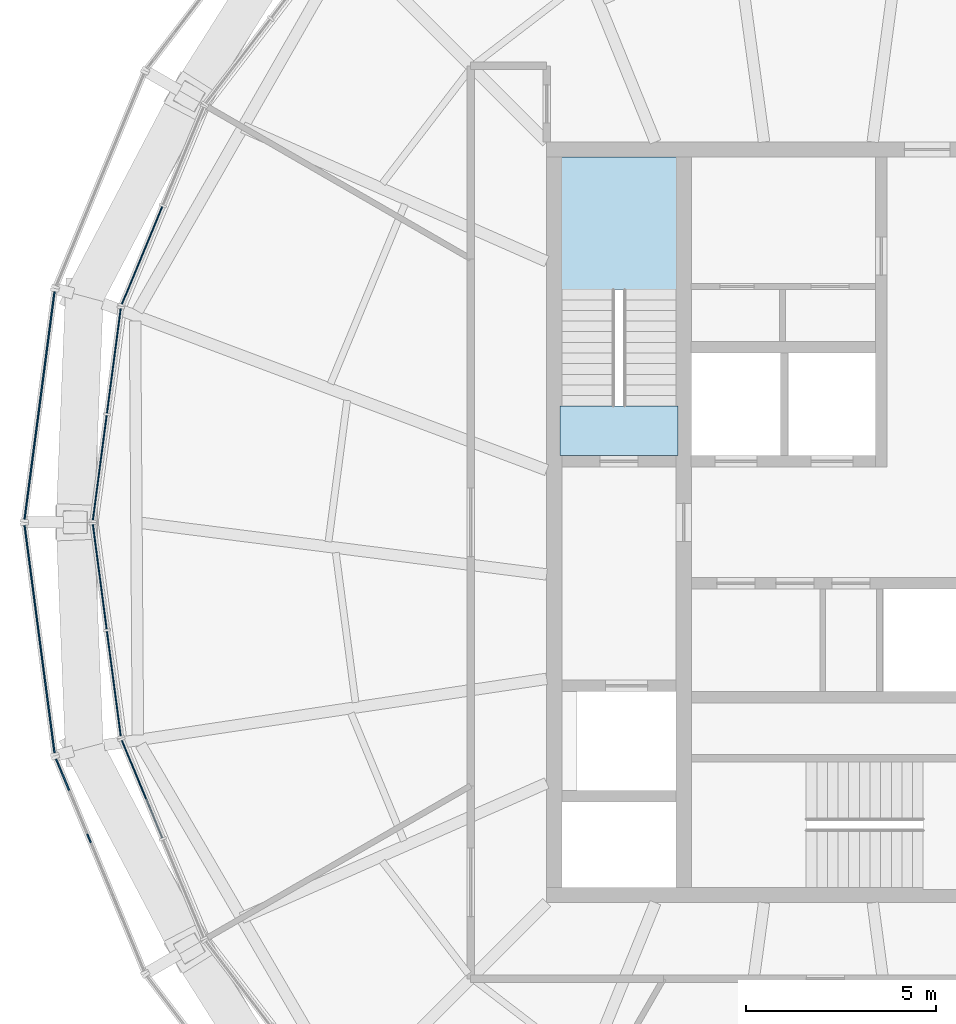
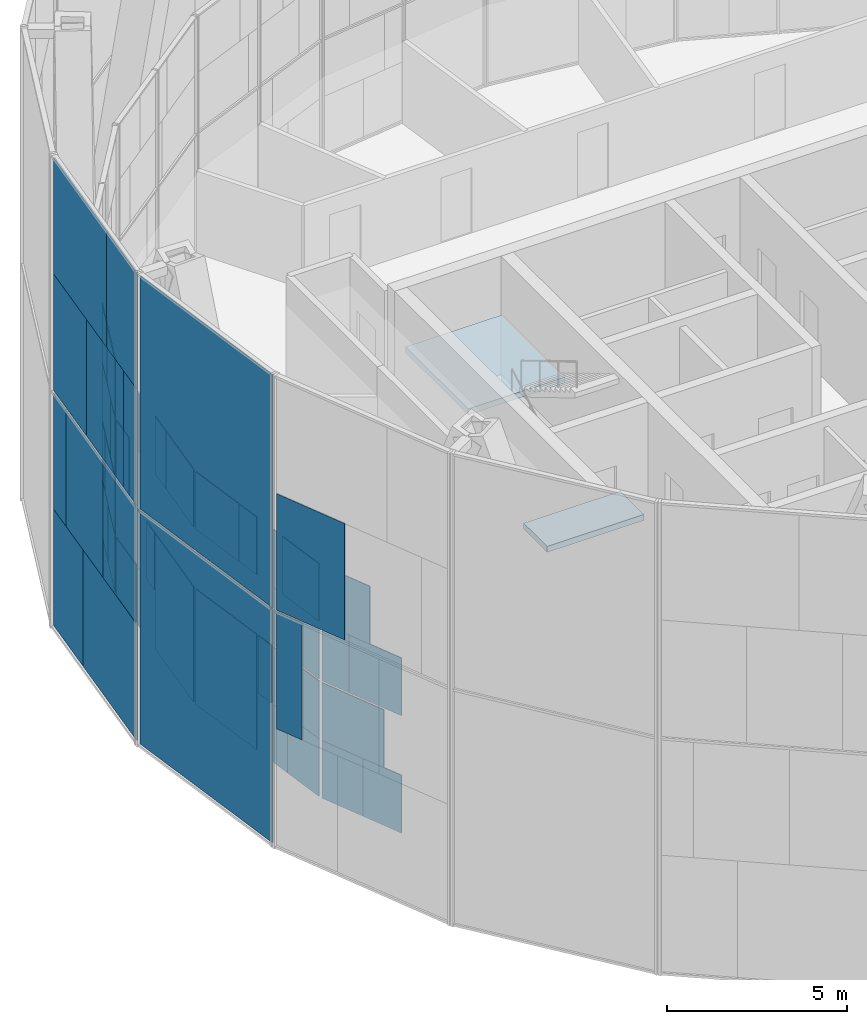
# One storey, part 12 of 22: 54 plates, 2 slabs, 8 elements without a shape of their own.
"""IFC4 building model written with IfcOpenShell, lengths in metres."""

from ifc_helpers import new_model, si_unit, direction, frame, origin, origin_2d, place, context, subcontext, project, spatial, polyline, rectangle, outline, extrude, material, layer, layer_set, type_object, element, aggregate, save


model = new_model("IFC4")

# Units and contexts
model_context = context("Model", 3, precision=1e-05, world=origin(), true_north=direction((0.0, 1.0)))
body_context = subcontext(model_context, "Body", "Model", "MODEL_VIEW")
ifc_project = project(units=[si_unit("LENGTHUNIT", "METRE"), si_unit("AREAUNIT", "SQUARE_METRE"), si_unit("VOLUMEUNIT", "CUBIC_METRE"), si_unit("PLANEANGLEUNIT", "RADIAN"), si_unit("MASSUNIT", "GRAM", prefix="KILO")], contexts=[model_context])

# Site, building, storey
site_placement = place(None, origin())
site = spatial("IfcSite", under=ifc_project, at=site_placement, CompositionType="ELEMENT")
building_placement = place(site_placement, origin())
building = spatial("IfcBuilding", under=site, at=building_placement, Name="Golbaran Civic Tower", CompositionType="ELEMENT")
storey_placement = place(building_placement, frame((0.0, 0.0, 264.0)))
storey = spatial("IfcBuildingStorey", under=building, at=storey_placement, Name="L64", CompositionType="ELEMENT", Elevation=264.0)

# Curtain wall, plates
ifc_material_1 = material(Name="Aluminium and glass", Category="aluminium")
curtain_wall_type_1 = type_object("IfcCurtainWallType", Name="INNER SKIN CURTAIN WALL EXECUTIVE", PredefinedType="NOTDEFINED", material=ifc_material_1)
curtain_wall_1_placement = place(storey_placement, origin())
curtain_wall_1 = element("IfcCurtainWall", 1, at=curtain_wall_1_placement, inside=storey, type_object=curtain_wall_type_1, Name="Inner skin L64 facet 11 CW2", ObjectType="INNER SKIN", PredefinedType="USERDEFINED")
ifc_material_2 = material(Name="Clear insulating glass", Category="glass")
ifc_layer_1 = layer(ifc_material_2, 0.031982421875, Name="Clear insulating glass")
ifc_layer_set_1 = layer_set([ifc_layer_1], Name="Clear insulating glass")
plate_type_1 = type_object("IfcPlateType", Name="INNER SKIN CURTAIN WALL EXECUTIVE GLAZED PANEL", PredefinedType="CURTAIN_PANEL", material=ifc_layer_set_1)
plate_1_placement = place(storey_placement, frame((-20.363525390625, 7.67724609375, 0.06005859375), z_axis=(0.0, 0.0, 1.0), x_axis=(-0.382683432349, -0.923879532518, 0.0)))
plate_1 = element("IfcPlate", 2, at=plate_1_placement, type_object=plate_type_1, Name="CW2 panel 2.1 part 1", PredefinedType="CURTAIN_PANEL", context=body_context, shape_type="SweptSolid", body=[
    extrude(rectangle(XDim=1.340087890625, YDim=0.031982421875, at=origin_2d()), origin(), (0.0, 0.0, 1.0), 1.955078125),
])
plate_2_placement = place(storey_placement, frame((-20.224853515625, 8.011474609375, 2.014892578125), z_axis=(0.0, 0.0, 1.0), x_axis=(-0.382683432349, -0.923879532518, 0.0)))
plate_2 = element("IfcPlate", 3, at=plate_2_placement, type_object=plate_type_1, Name="CW2 panel 2.1 part 3", PredefinedType="CURTAIN_PANEL", context=body_context, shape_type="SweptSolid", body=[
    extrude(rectangle(XDim=0.615966796875, YDim=0.031982421875, at=origin_2d()), origin(), (0.0, 0.0, 1.0), 1.955078125),
])
plate_3_placement = place(storey_placement, frame((-20.9873046875, 6.1708984375, 4.030029296875), z_axis=(0.0, 0.0, 1.0), x_axis=(-0.382683432349, -0.923879532518, 0.0)))
plate_3 = element("IfcPlate", 4, at=plate_3_placement, type_object=plate_type_1, Name="CW2 panel 2.2 part 2", PredefinedType="CURTAIN_PANEL", context=body_context, shape_type="SweptSolid", body=[
    extrude(rectangle(XDim=0.946533203125, YDim=0.031982421875, at=origin_2d()), origin(), (0.0, 0.0, 1.0), 1.955078125),
])
plate_4_placement = place(storey_placement, frame((-20.84912109375, 6.5048828125, 5.98486328125), z_axis=(0.0, 0.0, 1.0), x_axis=(-0.382683432349, -0.923879532518, 0.0)))
plate_4 = element("IfcPlate", 5, at=plate_4_placement, type_object=plate_type_1, Name="CW2 panel 2.2 part 4", PredefinedType="CURTAIN_PANEL", context=body_context, shape_type="SweptSolid", body=[
    extrude(rectangle(XDim=1.669677734375, YDim=0.031982421875, at=origin_2d()), origin(), (0.0, 0.0, 1.0), 1.955078125),
])

curtain_wall_2_placement = place(storey_placement, origin())
curtain_wall_2 = element("IfcCurtainWall", 6, at=curtain_wall_2_placement, inside=storey, type_object=curtain_wall_type_1, Name="Inner skin L64 facet 12 CW2", ObjectType="INNER SKIN", PredefinedType="USERDEFINED")
plate_5_placement = place(storey_placement, frame((-21.473876953125, 3.532958984375, 0.06005859375), z_axis=(0.0, 0.0, 1.0), x_axis=(-0.130526192203, -0.991444861376, 0.0)))
plate_5 = element("IfcPlate", 7, at=plate_5_placement, type_object=plate_type_1, Name="CW2 panel 1.1 part 2", PredefinedType="CURTAIN_PANEL", context=body_context, shape_type="SweptSolid", body=[
    extrude(rectangle(XDim=1.339599609375, YDim=0.031982421875, at=origin_2d()), origin(), (0.0, 0.0, 1.0), 1.955078125),
])
plate_6_placement = place(storey_placement, frame((-21.52099609375, 3.174560546875, 2.014892578125), z_axis=(0.0, 0.0, 1.0), x_axis=(-0.130526192203, -0.991444861376, 0.0)))
plate_6 = element("IfcPlate", 8, at=plate_6_placement, type_object=plate_type_1, Name="CW2 panel 1.1 part 4", PredefinedType="CURTAIN_PANEL", context=body_context, shape_type="SweptSolid", body=[
    extrude(rectangle(XDim=0.61669921875, YDim=0.031982421875, at=origin_2d()), origin(), (0.0, 0.0, 1.0), 1.955078125),
])
plate_7_placement = place(storey_placement, frame((-21.260986328125, 5.14990234375, 4.030029296875), z_axis=(0.0, 0.0, 1.0), x_axis=(-0.130526192203, -0.991444861376, 0.0)))
plate_7 = element("IfcPlate", 9, at=plate_7_placement, type_object=plate_type_1, Name="CW2 panel 1.2 part 1", PredefinedType="CURTAIN_PANEL", context=body_context, shape_type="SweptSolid", body=[
    extrude(rectangle(XDim=0.946044921875, YDim=0.031982421875, at=origin_2d()), origin(), (0.0, 0.0, 1.0), 1.955078125),
])
plate_8_placement = place(storey_placement, frame((-21.30810546875, 4.79150390625, 5.98486328125), z_axis=(0.0, 0.0, 1.0), x_axis=(-0.130526192203, -0.991444861376, 0.0)))
plate_8 = element("IfcPlate", 10, at=plate_8_placement, type_object=plate_type_1, Name="CW2 panel 1.2 part 3", PredefinedType="CURTAIN_PANEL", context=body_context, shape_type="SweptSolid", body=[
    extrude(rectangle(XDim=1.6689453125, YDim=0.031982421875, at=origin_2d()), origin(), (0.0, 0.0, 1.0), 1.955078125),
])
plate_9_placement = place(storey_placement, frame((-21.750244140625, 1.434326171875, 0.06005859375), z_axis=(0.0, 0.0, 1.0), x_axis=(-0.130526192203, -0.991444861376, 0.0)))
plate_9 = element("IfcPlate", 11, at=plate_9_placement, type_object=plate_type_1, Name="CW2 panel 2.1", PredefinedType="CURTAIN_PANEL", context=body_context, shape_type="SweptSolid", body=[
    extrude(rectangle(XDim=2.773681640625, YDim=0.031982421875, at=origin_2d()), origin(), (0.0, 0.0, 1.0), 3.909912109375),
])
plate_10_placement = place(storey_placement, frame((-21.7763671875, 1.235595703125, 4.030029296875), z_axis=(0.0, 0.0, 1.0), x_axis=(-0.130526192203, -0.991444861376, 0.0)))
plate_10 = element("IfcPlate", 12, at=plate_10_placement, type_object=plate_type_1, Name="CW2 panel 2.2 part 2", PredefinedType="CURTAIN_PANEL", context=body_context, shape_type="SweptSolid", body=[
    extrude(rectangle(XDim=2.37255859375, YDim=0.031982421875, at=origin_2d()), origin(), (0.0, 0.0, 1.0), 1.955078125),
])
plate_11_placement = place(storey_placement, frame((-21.8017578125, 1.041748046875, 5.98486328125), z_axis=(0.0, 0.0, 1.0), x_axis=(-0.130526192203, -0.991444861376, 0.0)))
plate_11 = element("IfcPlate", 13, at=plate_11_placement, type_object=plate_type_1, Name="CW2 panel 2.2 part 4", PredefinedType="CURTAIN_PANEL", context=body_context, shape_type="SweptSolid", body=[
    extrude(rectangle(XDim=1.981689453125, YDim=0.031982421875, at=origin_2d()), origin(), (0.0, 0.0, 1.0), 1.955078125),
])

curtain_wall_3_placement = place(storey_placement, origin())
curtain_wall_3 = element("IfcCurtainWall", 14, at=curtain_wall_3_placement, inside=storey, type_object=curtain_wall_type_1, Name="Inner skin L64 facet 13 CW2", ObjectType="INNER SKIN", PredefinedType="USERDEFINED")
plate_12_placement = place(storey_placement, frame((-21.750244140625, -1.434326171875, 0.06005859375), z_axis=(0.0, 0.0, 1.0), x_axis=(0.130526192203, -0.991444861376, 0.0)))
plate_12 = element("IfcPlate", 15, at=plate_12_placement, type_object=plate_type_1, Name="CW2 panel 1.1", PredefinedType="CURTAIN_PANEL", context=body_context, shape_type="SweptSolid", body=[
    extrude(rectangle(XDim=2.773681640625, YDim=0.031982421875, at=origin_2d()), origin(), (0.0, 0.0, 1.0), 3.909912109375),
])
plate_13_placement = place(storey_placement, frame((-21.7763671875, -1.2353515625, 4.030029296875), z_axis=(0.0, 0.0, 1.0), x_axis=(0.130526192203, -0.991444861376, 0.0)))
plate_13 = element("IfcPlate", 16, at=plate_13_placement, type_object=plate_type_1, Name="CW2 panel 1.2 part 1", PredefinedType="CURTAIN_PANEL", context=body_context, shape_type="SweptSolid", body=[
    extrude(rectangle(XDim=2.3720703125, YDim=0.031982421875, at=origin_2d()), origin(), (0.0, 0.0, 1.0), 1.955078125),
])
plate_14_placement = place(storey_placement, frame((-21.8017578125, -1.0419921875, 5.98486328125), z_axis=(0.0, 0.0, 1.0), x_axis=(0.130526192203, -0.991444861376, 0.0)))
plate_14 = element("IfcPlate", 17, at=plate_14_placement, type_object=plate_type_1, Name="CW2 panel 1.2 part 3", PredefinedType="CURTAIN_PANEL", context=body_context, shape_type="SweptSolid", body=[
    extrude(rectangle(XDim=1.98193359375, YDim=0.031982421875, at=origin_2d()), origin(), (0.0, 0.0, 1.0), 1.955078125),
])
plate_15_placement = place(storey_placement, frame((-21.473876953125, -3.533203125, 0.06005859375), z_axis=(0.0, 0.0, 1.0), x_axis=(0.130526192203, -0.991444861376, 0.0)))
plate_15 = element("IfcPlate", 18, at=plate_15_placement, type_object=plate_type_1, Name="CW2 panel 2.1 part 1", PredefinedType="CURTAIN_PANEL", context=body_context, shape_type="SweptSolid", body=[
    extrude(rectangle(XDim=1.340087890625, YDim=0.031982421875, at=origin_2d()), origin(), (0.0, 0.0, 1.0), 1.955078125),
])
plate_16_placement = place(storey_placement, frame((-21.52099609375, -3.17431640625, 2.014892578125), z_axis=(0.0, 0.0, 1.0), x_axis=(0.130526192203, -0.991444861376, 0.0)))
plate_16 = element("IfcPlate", 19, at=plate_16_placement, type_object=plate_type_1, Name="CW2 panel 2.1 part 3", PredefinedType="CURTAIN_PANEL", context=body_context, shape_type="SweptSolid", body=[
    extrude(rectangle(XDim=0.615966796875, YDim=0.031982421875, at=origin_2d()), origin(), (0.0, 0.0, 1.0), 1.955078125),
])
plate_17_placement = place(storey_placement, frame((-21.260986328125, -5.1494140625, 4.030029296875), z_axis=(0.0, 0.0, 1.0), x_axis=(0.130526192203, -0.991444861376, 0.0)))
plate_17 = element("IfcPlate", 20, at=plate_17_placement, type_object=plate_type_1, Name="CW2 panel 2.2 part 2", PredefinedType="CURTAIN_PANEL", context=body_context, shape_type="SweptSolid", body=[
    extrude(rectangle(XDim=0.946533203125, YDim=0.031982421875, at=origin_2d()), origin(), (0.0, 0.0, 1.0), 1.955078125),
])
plate_18_placement = place(storey_placement, frame((-21.308349609375, -4.791015625, 5.98486328125), z_axis=(0.0, 0.0, 1.0), x_axis=(0.130526192203, -0.991444861376, 0.0)))
plate_18 = element("IfcPlate", 21, at=plate_18_placement, type_object=plate_type_1, Name="CW2 panel 2.2 part 4", PredefinedType="CURTAIN_PANEL", context=body_context, shape_type="SweptSolid", body=[
    extrude(rectangle(XDim=1.669677734375, YDim=0.031982421875, at=origin_2d()), origin(), (0.0, 0.0, 1.0), 1.955078125),
])

curtain_wall_4_placement = place(storey_placement, origin())
curtain_wall_4 = element("IfcCurtainWall", 22, at=curtain_wall_4_placement, inside=storey, type_object=curtain_wall_type_1, Name="Inner skin L64 facet 14 CW2", ObjectType="INNER SKIN", PredefinedType="USERDEFINED")
plate_19_placement = place(storey_placement, frame((-20.36328125, -7.67724609375, 0.06005859375), z_axis=(0.0, 0.0, 1.0), x_axis=(0.382683432349, -0.923879532518, 0.0)))
plate_19 = element("IfcPlate", 23, at=plate_19_placement, type_object=plate_type_1, Name="CW2 panel 1.1 part 2", PredefinedType="CURTAIN_PANEL", context=body_context, shape_type="SweptSolid", body=[
    extrude(rectangle(XDim=1.339599609375, YDim=0.031982421875, at=origin_2d()), origin(), (0.0, 0.0, 1.0), 1.955078125),
])
plate_20_placement = place(storey_placement, frame((-20.987548828125, -6.170654296875, 4.030029296875), z_axis=(0.0, 0.0, 1.0), x_axis=(0.382683432349, -0.923879532518, 0.0)))
plate_20 = element("IfcPlate", 24, at=plate_20_placement, type_object=plate_type_1, Name="CW2 panel 1.2 part 1", PredefinedType="CURTAIN_PANEL", context=body_context, shape_type="SweptSolid", body=[
    extrude(rectangle(XDim=0.946044921875, YDim=0.031982421875, at=origin_2d()), origin(), (0.0, 0.0, 1.0), 1.955078125),
])
plate_21_placement = place(storey_placement, frame((-20.84912109375, -6.504638671875, 5.98486328125), z_axis=(0.0, 0.0, 1.0), x_axis=(0.382683432349, -0.923879532518, 0.0)))
plate_21 = element("IfcPlate", 25, at=plate_21_placement, type_object=plate_type_1, Name="CW2 panel 1.2 part 3", PredefinedType="CURTAIN_PANEL", context=body_context, shape_type="SweptSolid", body=[
    extrude(rectangle(XDim=1.6689453125, YDim=0.031982421875, at=origin_2d()), origin(), (0.0, 0.0, 1.0), 1.955078125),
])

# Plate
ifc_material_3 = material(Name="Aluminium faced opaque infill panel", Category="aluminium")
ifc_layer_2 = layer(ifc_material_3, 0.031982421875, Name="Aluminium faced opaque infill panel")
ifc_layer_set_2 = layer_set([ifc_layer_2], Name="Aluminium faced opaque infill panel")
plate_type_2 = type_object("IfcPlateType", Name="INNER SKIN CURTAIN WALL EXECUTIVE OPAQUE INFILL PANEL", PredefinedType="CURTAIN_PANEL", material=ifc_layer_set_2)
plate_22_placement = place(storey_placement, frame((-20.894287109375, 6.39599609375, 0.06005859375), z_axis=(0.0, 0.0, 1.0), x_axis=(-0.382683432349, -0.923879532518, 0.0)))
plate_22 = element("IfcPlate", 26, at=plate_22_placement, type_object=plate_type_2, Name="CW2 infill panel 2.1 part 2", PredefinedType="CURTAIN_PANEL", context=body_context, shape_type="SweptSolid", body=[
    extrude(rectangle(XDim=1.43359375, YDim=0.031982421875, at=origin_2d()), origin(), (0.0, 0.0, 1.0), 1.955078125),
])

plate_23_placement = place(storey_placement, frame((-20.755615234375, 6.73046875, 2.014892578125), z_axis=(0.0, 0.0, 1.0), x_axis=(-0.382683432349, -0.923879532518, 0.0)))
plate_23 = element("IfcPlate", 27, at=plate_23_placement, type_object=plate_type_2, Name="CW2 infill panel 2.1 part 4", PredefinedType="CURTAIN_PANEL", context=body_context, shape_type="SweptSolid", body=[
    extrude(rectangle(XDim=2.15771484375, YDim=0.031982421875, at=origin_2d()), origin(), (0.0, 0.0, 1.0), 1.955078125),
])

plate_24_placement = place(storey_placement, frame((-20.45654296875, 7.4521484375, 4.030029296875), z_axis=(0.0, 0.0, 1.0), x_axis=(-0.382683432349, -0.923879532518, 0.0)))
plate_24 = element("IfcPlate", 28, at=plate_24_placement, type_object=plate_type_2, Name="CW2 infill panel 2.2 part 1", PredefinedType="CURTAIN_PANEL", context=body_context, shape_type="SweptSolid", body=[
    extrude(rectangle(XDim=1.826904296875, YDim=0.031982421875, at=origin_2d()), origin(), (0.0, 0.0, 1.0), 1.955078125),
])

plate_25_placement = place(storey_placement, frame((-20.318359375, 7.7861328125, 5.98486328125), z_axis=(0.0, 0.0, 1.0), x_axis=(-0.382683432349, -0.923879532518, 0.0)))
plate_25 = element("IfcPlate", 29, at=plate_25_placement, type_object=plate_type_2, Name="CW2 infill panel 2.2 part 3", PredefinedType="CURTAIN_PANEL", context=body_context, shape_type="SweptSolid", body=[
    extrude(rectangle(XDim=1.10400390625, YDim=0.031982421875, at=origin_2d()), origin(), (0.0, 0.0, 1.0), 1.955078125),
])

aggregate(curtain_wall_1, [plate_1, plate_22, plate_2, plate_23, plate_24, plate_3, plate_25, plate_4])

plate_26_placement = place(storey_placement, frame((-21.29296875, 4.907958984375, 0.06005859375), z_axis=(0.0, 0.0, 1.0), x_axis=(-0.130526192203, -0.991444861376, 0.0)))
plate_26 = element("IfcPlate", 30, at=plate_26_placement, type_object=plate_type_2, Name="CW2 infill panel 1.1 part 1", PredefinedType="CURTAIN_PANEL", context=body_context, shape_type="SweptSolid", body=[
    extrude(rectangle(XDim=1.43408203125, YDim=0.031982421875, at=origin_2d()), origin(), (0.0, 0.0, 1.0), 1.955078125),
])

plate_27_placement = place(storey_placement, frame((-21.340087890625, 4.549560546875, 2.014892578125), z_axis=(0.0, 0.0, 1.0), x_axis=(-0.130526192203, -0.991444861376, 0.0)))
plate_27 = element("IfcPlate", 31, at=plate_27_placement, type_object=plate_type_2, Name="CW2 infill panel 1.1 part 3", PredefinedType="CURTAIN_PANEL", context=body_context, shape_type="SweptSolid", body=[
    extrude(rectangle(XDim=2.156982421875, YDim=0.031982421875, at=origin_2d()), origin(), (0.0, 0.0, 1.0), 1.955078125),
])

plate_28_placement = place(storey_placement, frame((-21.442138671875, 3.77490234375, 4.030029296875), z_axis=(0.0, 0.0, 1.0), x_axis=(-0.130526192203, -0.991444861376, 0.0)))
plate_28 = element("IfcPlate", 32, at=plate_28_placement, type_object=plate_type_2, Name="CW2 infill panel 1.2 part 2", PredefinedType="CURTAIN_PANEL", context=body_context, shape_type="SweptSolid", body=[
    extrude(rectangle(XDim=1.82763671875, YDim=0.031982421875, at=origin_2d()), origin(), (0.0, 0.0, 1.0), 1.955078125),
])

plate_29_placement = place(storey_placement, frame((-21.4892578125, 3.41650390625, 5.98486328125), z_axis=(0.0, 0.0, 1.0), x_axis=(-0.130526192203, -0.991444861376, 0.0)))
plate_29 = element("IfcPlate", 33, at=plate_29_placement, type_object=plate_type_2, Name="CW2 infill panel 1.2 part 4", PredefinedType="CURTAIN_PANEL", context=body_context, shape_type="SweptSolid", body=[
    extrude(rectangle(XDim=1.1044921875, YDim=0.031982421875, at=origin_2d()), origin(), (0.0, 0.0, 1.0), 1.955078125),
])

plate_30_placement = place(storey_placement, frame((-21.59521484375, 2.610595703125, 4.030029296875), z_axis=(0.0, 0.0, 1.0), x_axis=(-0.130526192203, -0.991444861376, 0.0)))
plate_30 = element("IfcPlate", 34, at=plate_30_placement, type_object=plate_type_2, Name="CW2 infill panel 2.2 part 1", PredefinedType="CURTAIN_PANEL", context=body_context, shape_type="SweptSolid", body=[
    extrude(rectangle(XDim=0.40087890625, YDim=0.031982421875, at=origin_2d()), origin(), (0.0, 0.0, 1.0), 1.955078125),
])

plate_31_placement = place(storey_placement, frame((-21.620849609375, 2.416748046875, 5.98486328125), z_axis=(0.0, 0.0, 1.0), x_axis=(-0.130526192203, -0.991444861376, 0.0)))
plate_31 = element("IfcPlate", 35, at=plate_31_placement, type_object=plate_type_2, Name="CW2 infill panel 2.2 part 3", PredefinedType="CURTAIN_PANEL", context=body_context, shape_type="SweptSolid", body=[
    extrude(rectangle(XDim=0.7919921875, YDim=0.031982421875, at=origin_2d()), origin(), (0.0, 0.0, 1.0), 1.955078125),
])

aggregate(curtain_wall_2, [plate_26, plate_5, plate_27, plate_6, plate_7, plate_28, plate_8, plate_29, plate_9, plate_30, plate_10, plate_31, plate_11])

plate_32_placement = place(storey_placement, frame((-21.595458984375, -2.6103515625, 4.030029296875), z_axis=(0.0, 0.0, 1.0), x_axis=(0.130526192203, -0.991444861376, 0.0)))
plate_32 = element("IfcPlate", 36, at=plate_32_placement, type_object=plate_type_2, Name="CW2 infill panel 1.2 part 2", PredefinedType="CURTAIN_PANEL", context=body_context, shape_type="SweptSolid", body=[
    extrude(rectangle(XDim=0.401611328125, YDim=0.031982421875, at=origin_2d()), origin(), (0.0, 0.0, 1.0), 1.955078125),
])

plate_33_placement = place(storey_placement, frame((-21.620849609375, -2.4169921875, 5.98486328125), z_axis=(0.0, 0.0, 1.0), x_axis=(0.130526192203, -0.991444861376, 0.0)))
plate_33 = element("IfcPlate", 37, at=plate_33_placement, type_object=plate_type_2, Name="CW2 infill panel 1.2 part 4", PredefinedType="CURTAIN_PANEL", context=body_context, shape_type="SweptSolid", body=[
    extrude(rectangle(XDim=0.79150390625, YDim=0.031982421875, at=origin_2d()), origin(), (0.0, 0.0, 1.0), 1.955078125),
])

plate_34_placement = place(storey_placement, frame((-21.292724609375, -4.907958984375, 0.06005859375), z_axis=(0.0, 0.0, 1.0), x_axis=(0.130526192203, -0.991444861376, 0.0)))
plate_34 = element("IfcPlate", 38, at=plate_34_placement, type_object=plate_type_2, Name="CW2 infill panel 2.1 part 2", PredefinedType="CURTAIN_PANEL", context=body_context, shape_type="SweptSolid", body=[
    extrude(rectangle(XDim=1.43359375, YDim=0.031982421875, at=origin_2d()), origin(), (0.0, 0.0, 1.0), 1.955078125),
])

plate_35_placement = place(storey_placement, frame((-21.340087890625, -4.549072265625, 2.014892578125), z_axis=(0.0, 0.0, 1.0), x_axis=(0.130526192203, -0.991444861376, 0.0)))
plate_35 = element("IfcPlate", 39, at=plate_35_placement, type_object=plate_type_2, Name="CW2 infill panel 2.1 part 4", PredefinedType="CURTAIN_PANEL", context=body_context, shape_type="SweptSolid", body=[
    extrude(rectangle(XDim=2.15771484375, YDim=0.031982421875, at=origin_2d()), origin(), (0.0, 0.0, 1.0), 1.955078125),
])

plate_36_placement = place(storey_placement, frame((-21.442138671875, -3.774658203125, 4.030029296875), z_axis=(0.0, 0.0, 1.0), x_axis=(0.130526192203, -0.991444861376, 0.0)))
plate_36 = element("IfcPlate", 40, at=plate_36_placement, type_object=plate_type_2, Name="CW2 infill panel 2.2 part 1", PredefinedType="CURTAIN_PANEL", context=body_context, shape_type="SweptSolid", body=[
    extrude(rectangle(XDim=1.826904296875, YDim=0.031982421875, at=origin_2d()), origin(), (0.0, 0.0, 1.0), 1.955078125),
])

plate_37_placement = place(storey_placement, frame((-21.4892578125, -3.416015625, 5.98486328125), z_axis=(0.0, 0.0, 1.0), x_axis=(0.130526192203, -0.991444861376, 0.0)))
plate_37 = element("IfcPlate", 41, at=plate_37_placement, type_object=plate_type_2, Name="CW2 infill panel 2.2 part 3", PredefinedType="CURTAIN_PANEL", context=body_context, shape_type="SweptSolid", body=[
    extrude(rectangle(XDim=1.10400390625, YDim=0.031982421875, at=origin_2d()), origin(), (0.0, 0.0, 1.0), 1.955078125),
])

aggregate(curtain_wall_3, [plate_12, plate_13, plate_32, plate_14, plate_33, plate_15, plate_34, plate_16, plate_35, plate_36, plate_17, plate_37, plate_18])

plate_38_placement = place(storey_placement, frame((-20.89404296875, -6.39599609375, 0.06005859375), z_axis=(0.0, 0.0, 1.0), x_axis=(0.382683432349, -0.923879532518, 0.0)))
plate_38 = element("IfcPlate", 42, at=plate_38_placement, type_object=plate_type_2, Name="CW2 infill panel 1.1 part 1", PredefinedType="CURTAIN_PANEL", context=body_context, shape_type="SweptSolid", body=[
    extrude(rectangle(XDim=1.43408203125, YDim=0.031982421875, at=origin_2d()), origin(), (0.0, 0.0, 1.0), 1.955078125),
])

plate_39_placement = place(storey_placement, frame((-20.755859375, -6.72998046875, 2.014892578125), z_axis=(0.0, 0.0, 1.0), x_axis=(0.382683432349, -0.923879532518, 0.0)))
plate_39 = element("IfcPlate", 43, at=plate_39_placement, type_object=plate_type_2, Name="CW2 infill panel 1.1 part 3", PredefinedType="CURTAIN_PANEL", context=body_context, shape_type="SweptSolid", body=[
    extrude(rectangle(XDim=2.156982421875, YDim=0.031982421875, at=origin_2d()), origin(), (0.0, 0.0, 1.0), 1.955078125),
])

plate_40_placement = place(storey_placement, frame((-20.456787109375, -7.451904296875, 4.030029296875), z_axis=(0.0, 0.0, 1.0), x_axis=(0.382683432349, -0.923879532518, 0.0)))
plate_40 = element("IfcPlate", 44, at=plate_40_placement, type_object=plate_type_2, Name="CW2 infill panel 1.2 part 2", PredefinedType="CURTAIN_PANEL", context=body_context, shape_type="SweptSolid", body=[
    extrude(rectangle(XDim=1.82763671875, YDim=0.031982421875, at=origin_2d()), origin(), (0.0, 0.0, 1.0), 1.955078125),
])

aggregate(curtain_wall_4, [plate_38, plate_19, plate_39, plate_20, plate_40, plate_21])

# Curtain wall, plates
curtain_wall_type_2 = type_object("IfcCurtainWallType", Name="OUTER SKIN TERRACOTTA SCREEN", PredefinedType="NOTDEFINED", material=ifc_material_1)
curtain_wall_5_placement = place(storey_placement, origin())
curtain_wall_5 = element("IfcCurtainWall", 45, at=curtain_wall_5_placement, inside=storey, type_object=curtain_wall_type_2, Name="Outer skin L64 facet 12 CW3", ObjectType="OUTER SKIN", PredefinedType="USERDEFINED")
ifc_material_4 = material(Name="Clear laminated glass", Category="glass")
ifc_layer_3 = layer(ifc_material_4, 0.0400390625, Name="Clear laminated glass")
ifc_layer_set_3 = layer_set([ifc_layer_3], Name="Clear laminated glass")
plate_type_3 = type_object("IfcPlateType", Name="OUTER SKIN CLEAR GLASS PANEL", PredefinedType="CURTAIN_PANEL", material=ifc_layer_set_3)
plate_41_placement = place(storey_placement, frame((-23.472412109375, 2.01708984375, -0.6298828125), z_axis=(0.0, 0.0, 1.0), x_axis=(-0.130526192289, -0.991444861365, 0.0)))
plate_41 = element("IfcPlate", 46, at=plate_41_placement, type_object=plate_type_3, Name="CW3 panel 1.1 part 2", PredefinedType="CURTAIN_PANEL", context=body_context, shape_type="SweptSolid", body=[
    extrude(rectangle(XDim=3.908935546875, YDim=0.0400390625, at=origin_2d()), origin(), (0.0, 0.0, 1.0), 3.93994140625),
])
plate_42_placement = place(storey_placement, frame((-22.998046875, 5.620849609375, 3.31005859375), z_axis=(0.0, 0.0, 1.0), x_axis=(-0.130526192289, -0.991444861365, 0.0)))
plate_42 = element("IfcPlate", 47, at=plate_42_placement, type_object=plate_type_3, Name="CW3 panel 1.1 part 3", PredefinedType="CURTAIN_PANEL", context=body_context, shape_type="SweptSolid", body=[
    extrude(rectangle(XDim=0.89501953125, YDim=0.0400390625, at=origin_2d()), origin(), (0.0, 0.0, 1.0), 3.93994140625),
])
plate_43_placement = place(storey_placement, frame((-23.567626953125, 1.294677734375, 3.31005859375), z_axis=(0.0, 0.0, 1.0), x_axis=(-0.130526192289, -0.991444861365, 0.0)))
plate_43 = element("IfcPlate", 48, at=plate_43_placement, type_object=plate_type_3, Name="CW3 panel 1.1 part 5", PredefinedType="CURTAIN_PANEL", context=body_context, shape_type="SweptSolid", body=[
    extrude(rectangle(XDim=2.451904296875, YDim=0.0400390625, at=origin_2d()), origin(), (0.0, 0.0, 1.0), 3.93994140625),
])
plate_44_placement = place(storey_placement, frame((-23.09521484375, 4.88330078125, 7.330078125), z_axis=(0.0, 0.0, 1.0), x_axis=(-0.130526192289, -0.991444861365, 0.0)))
plate_44 = element("IfcPlate", 49, at=plate_44_placement, type_object=plate_type_3, Name="CW3 panel 1.2 part 1", PredefinedType="CURTAIN_PANEL", context=body_context, shape_type="SweptSolid", body=[
    extrude(rectangle(XDim=2.383056640625, YDim=0.0400390625, at=origin_2d()), origin(), (0.0, 0.0, 1.0), 3.93994140625),
])
plate_45_placement = place(storey_placement, frame((-23.66455078125, 0.5576171875, 7.330078125), z_axis=(0.0, 0.0, 1.0), x_axis=(-0.130526192289, -0.991444861365, 0.0)))
plate_45 = element("IfcPlate", 50, at=plate_45_placement, type_object=plate_type_3, Name="CW3 panel 1.2 part 3", PredefinedType="CURTAIN_PANEL", context=body_context, shape_type="SweptSolid", body=[
    extrude(rectangle(XDim=0.96484375, YDim=0.0400390625, at=origin_2d()), origin(), (0.0, 0.0, 1.0), 3.93994140625),
])
plate_46_placement = place(storey_placement, frame((-23.19091796875, 4.155029296875, 11.27001953125), z_axis=(0.0, 0.0, 1.0), x_axis=(-0.130526192289, -0.991444861365, 0.0)))
plate_46 = element("IfcPlate", 51, at=plate_46_placement, type_object=plate_type_3, Name="CW3 panel 1.2 part 4", PredefinedType="CURTAIN_PANEL", context=body_context, shape_type="SweptSolid", body=[
    extrude(rectangle(XDim=3.85205078125, YDim=0.0400390625, at=origin_2d()), origin(), (0.0, 0.0, 1.0), 3.93994140625),
])

curtain_wall_6_placement = place(storey_placement, origin())
curtain_wall_6 = element("IfcCurtainWall", 52, at=curtain_wall_6_placement, inside=storey, type_object=curtain_wall_type_2, Name="Outer skin L64 facet 14 CW3", ObjectType="OUTER SKIN", PredefinedType="USERDEFINED")
plate_47_placement = place(storey_placement, frame((-22.727294921875, -6.631103515625, 3.31005859375), z_axis=(0.0, 0.0, 1.0), x_axis=(0.382683432333, -0.923879532525, 0.0)))
plate_47 = element("IfcPlate", 53, at=plate_47_placement, type_object=plate_type_3, Name="CW3 panel 1.1 part 3", PredefinedType="CURTAIN_PANEL", context=body_context, shape_type="SweptSolid", body=[
    extrude(rectangle(XDim=0.89501953125, YDim=0.0400390625, at=origin_2d()), origin(), (0.0, 0.0, 1.0), 3.93994140625),
])
plate_48_placement = place(storey_placement, frame((-22.442626953125, -7.318603515625, 7.330078125), z_axis=(0.0, 0.0, 1.0), x_axis=(0.382683432333, -0.923879532525, 0.0)))
plate_48 = element("IfcPlate", 54, at=plate_48_placement, type_object=plate_type_3, Name="CW3 panel 1.2 part 1", PredefinedType="CURTAIN_PANEL", context=body_context, shape_type="SweptSolid", body=[
    extrude(rectangle(XDim=2.383056640625, YDim=0.0400390625, at=origin_2d()), origin(), (0.0, 0.0, 1.0), 3.93994140625),
])
aggregate(curtain_wall_6, [plate_47, plate_48])

# Plate
ifc_material_5 = material(Name="Terracotta baguette screen", Category="masonry")
ifc_layer_4 = layer(ifc_material_5, 0.0400390625, Name="Terracotta baguette screen")
ifc_layer_set_4 = layer_set([ifc_layer_4], Name="Terracotta baguette screen")
plate_type_4 = type_object("IfcPlateType", Name="OUTER SKIN TERRACOTTA INFILL PANEL", PredefinedType="CURTAIN_PANEL", material=ifc_layer_set_4)
plate_49_placement = place(storey_placement, frame((-23.078369140625, 5.009521484375, -0.6298828125), z_axis=(0.0, 0.0, 1.0), x_axis=(-0.130526192289, -0.991444861365, 0.0)))
plate_49 = element("IfcPlate", 55, at=plate_49_placement, type_object=plate_type_4, Name="CW3 infill panel 1.1 part 1", PredefinedType="CURTAIN_PANEL", context=body_context, shape_type="SweptSolid", body=[
    extrude(rectangle(XDim=2.1279296875, YDim=0.0400390625, at=origin_2d()), origin(), (0.0, 0.0, 1.0), 3.93994140625),
])

plate_50_placement = place(storey_placement, frame((-23.23193359375, 3.84375, 3.31005859375), z_axis=(0.0, 0.0, 1.0), x_axis=(-0.130526192289, -0.991444861365, 0.0)))
plate_50 = element("IfcPlate", 56, at=plate_50_placement, type_object=plate_type_4, Name="CW3 infill panel 1.1 part 4", PredefinedType="CURTAIN_PANEL", context=body_context, shape_type="SweptSolid", body=[
    extrude(rectangle(XDim=2.68994140625, YDim=0.0400390625, at=origin_2d()), origin(), (0.0, 0.0, 1.0), 3.93994140625),
])

plate_51_placement = place(storey_placement, frame((-23.426025390625, 2.368896484375, 7.330078125), z_axis=(0.0, 0.0, 1.0), x_axis=(-0.130526192289, -0.991444861365, 0.0)))
plate_51 = element("IfcPlate", 57, at=plate_51_placement, type_object=plate_type_4, Name="CW3 infill panel 1.2 part 2", PredefinedType="CURTAIN_PANEL", context=body_context, shape_type="SweptSolid", body=[
    extrude(rectangle(XDim=2.68896484375, YDim=0.0400390625, at=origin_2d()), origin(), (0.0, 0.0, 1.0), 3.93994140625),
])

plate_52_placement = place(storey_placement, frame((-23.5849609375, 1.162353515625, 11.27001953125), z_axis=(0.0, 0.0, 1.0), x_axis=(-0.130526192289, -0.991444861365, 0.0)))
plate_52 = element("IfcPlate", 58, at=plate_52_placement, type_object=plate_type_4, Name="CW3 infill panel 1.2 part 5", PredefinedType="CURTAIN_PANEL", context=body_context, shape_type="SweptSolid", body=[
    extrude(rectangle(XDim=2.184814453125, YDim=0.0400390625, at=origin_2d()), origin(), (0.0, 0.0, 1.0), 3.93994140625),
])

aggregate(curtain_wall_5, [plate_49, plate_41, plate_42, plate_50, plate_43, plate_44, plate_51, plate_45, plate_46, plate_52])

# Curtain wall, plates
curtain_wall_7_placement = place(storey_placement, origin())
curtain_wall_7 = element("IfcCurtainWall", 59, at=curtain_wall_7_placement, inside=storey, type_object=curtain_wall_type_2, Name="Outer skin L64 facet 13 CW3", ObjectType="OUTER SKIN", PredefinedType="USERDEFINED")
ifc_layer_5 = layer(ifc_material_5, 0.0400390625, Name="Terracotta baguette screen")
ifc_layer_set_5 = layer_set([ifc_layer_5], Name="Terracotta baguette screen")
plate_type_5 = type_object("IfcPlateType", Name="OUTER SKIN TERRACOTTA SCREEN PANEL", PredefinedType="CURTAIN_PANEL", material=ifc_layer_set_5)
plate_53_placement = place(storey_placement, frame((-23.33349609375, -3.072021484375, -0.6298828125), z_axis=(0.0, 0.0, 1.0), x_axis=(0.130526192289, -0.991444861365, 0.0)))
plate_53 = element("IfcPlate", 60, at=plate_53_placement, type_object=plate_type_5, Name="CW3 terracotta screen panel 1.1", PredefinedType="CURTAIN_PANEL", context=body_context, shape_type="SweptSolid", body=[
    extrude(rectangle(XDim=6.036865234375, YDim=0.0400390625, at=origin_2d()), origin(), (0.0, 0.0, 1.0), 7.8798828125),
])
plate_54_placement = place(storey_placement, frame((-23.33349609375, -3.072021484375, 7.330078125), z_axis=(0.0, 0.0, 1.0), x_axis=(0.130526192289, -0.991444861365, 0.0)))
plate_54 = element("IfcPlate", 61, at=plate_54_placement, type_object=plate_type_5, Name="CW3 terracotta screen panel 1.2", PredefinedType="CURTAIN_PANEL", context=body_context, shape_type="SweptSolid", body=[
    extrude(rectangle(XDim=6.036865234375, YDim=0.0400390625, at=origin_2d()), origin(), (0.0, 0.0, 1.0), 7.8798828125),
])
aggregate(curtain_wall_7, [plate_53, plate_54])

# Stair, slab
ifc_material_6 = material(Name="Concrete C35/45", Category="concrete")
stair_type = type_object("IfcStairType", Name="EXIT STAIR 3000 x 7850, 4000 RISE", PredefinedType="HALF_TURN_STAIR", material=ifc_material_6)
stair_placement = place(storey_placement, origin())
stair = element("IfcStair", 62, at=stair_placement, inside=storey, type_object=stair_type, Name="Stair S1 L64", PredefinedType="HALF_TURN_STAIR")
ifc_layer_6 = layer(ifc_material_6, 0.199951171875, Name="Concrete C35/45")
ifc_layer_set_6 = layer_set([ifc_layer_6], Name="Concrete C35/45")
slab_type = type_object("IfcSlabType", Name="STAIR LANDING 200", PredefinedType="LANDING", material=ifc_layer_set_6)
slab_1_placement = place(storey_placement, frame((0.0, 0.0, 1.800048828125)))
slab_1 = element("IfcSlab", 63, at=slab_1_placement, type_object=slab_type, Name="ST30078-40 landing 1", PredefinedType="LANDING", context=body_context, shape_type="SweptSolid", body=[
    extrude(outline(polyline([(-9.64990234375, 6.125), (-9.64990234375, 9.60009765625), (-6.550048828125, 9.60009765625), (-6.550048828125, 6.125), (-9.64990234375, 6.125)])), origin(), (0.0, 0.0, 1.0), 0.199951171875),
])
aggregate(stair, [slab_1])

# Slab
slab_2_placement = place(storey_placement, frame((0.0, 0.0, -0.199951171875)))
element("IfcSlab", 64, at=slab_2_placement, inside=storey, type_object=slab_type, Name="Stair S1 floor landing L64", PredefinedType="LANDING", context=body_context, shape_type="SweptSolid", body=[
    extrude(outline(polyline([(-9.64990234375, 1.75), (-9.64990234375, 3.054931640625), (-6.550048828125, 3.054931640625), (-6.550048828125, 1.75), (-9.64990234375, 1.75)])), origin(), (0.0, 0.0, 1.0), 0.199951171875),
])

save(model, "model.ifc")
